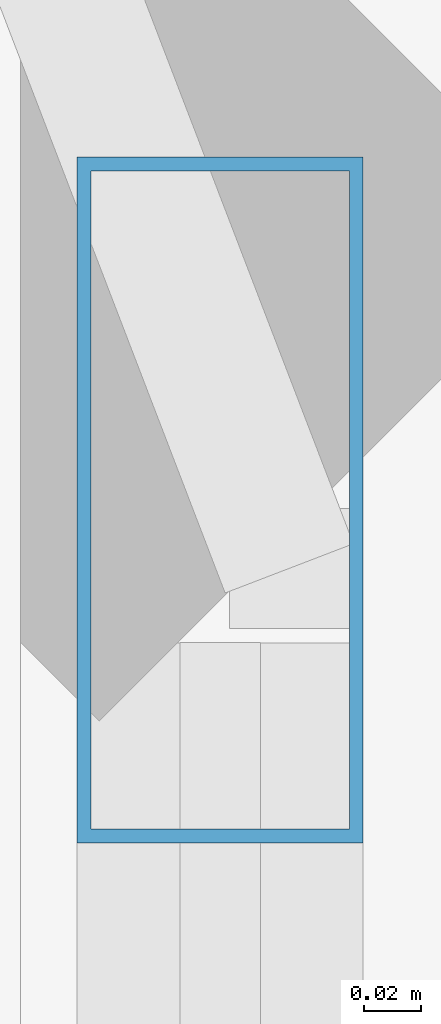
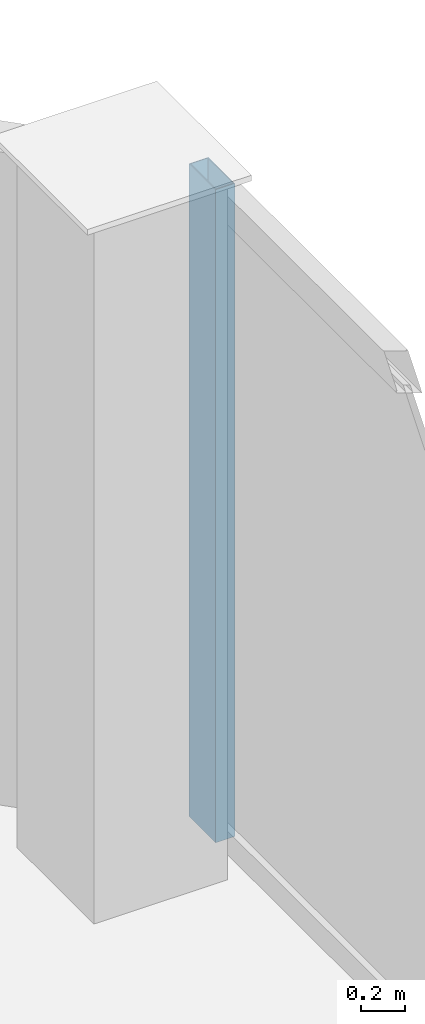
# One storey, part 16 of 26: 1 member, 1 element without a shape of its own.
"""IFC4 building model written with IfcOpenShell, lengths in metres."""

from ifc_helpers import new_model, si_unit, direction, frame, origin, origin_2d, place, context, subcontext, project, spatial, hollow_rectangle, extrude, material, layer, layer_set, material_profile, profile_set, type_object, element, aggregate, save


model = new_model("IFC4")

# Units and contexts
model_context = context("Model", 3, precision=1e-05, world=origin(), true_north=direction((0.0, 1.0)))
body_context = subcontext(model_context, "Body", "Model", "MODEL_VIEW")
ifc_project = project(units=[si_unit("LENGTHUNIT", "METRE"), si_unit("AREAUNIT", "SQUARE_METRE"), si_unit("VOLUMEUNIT", "CUBIC_METRE"), si_unit("PLANEANGLEUNIT", "RADIAN"), si_unit("MASSUNIT", "GRAM", prefix="KILO")], contexts=[model_context])

# Site, building, storey
site_placement = place(None, origin())
site = spatial("IfcSite", under=ifc_project, at=site_placement, CompositionType="ELEMENT")
building_placement = place(site_placement, origin())
building = spatial("IfcBuilding", under=site, at=building_placement, Name="Khorvyn Point Tower", CompositionType="ELEMENT")
storey_placement = place(building_placement, frame((0.0, 0.0, 187.5)))
storey = spatial("IfcBuildingStorey", under=building, at=storey_placement, Name="L46", CompositionType="ELEMENT", Elevation=187.5)

# Curtain wall, member
ifc_material_1 = material(Name="Anodised aluminium 6063-T6 and laminated Low-E glass", Category="aluminium")
ifc_layer = layer(ifc_material_1, 0.18994140625)
ifc_layer_set = layer_set([ifc_layer], Name="Stick-Built Acoustic Curtain Wall CW-SYS-03")
curtain_wall_type = type_object("IfcCurtainWallType", Name="Stick-Built Acoustic Curtain Wall CW-SYS-03", PredefinedType="NOTDEFINED", material=ifc_layer_set)
curtain_wall_placement = place(storey_placement, origin())
curtain_wall = element("IfcCurtainWall", 1, at=curtain_wall_placement, inside=storey, type_object=curtain_wall_type, Name="Curtain Wall", PredefinedType="NOTDEFINED")
ifc_material_2 = material(Name="Anodised aluminium 6063-T6", Category="aluminium")
ifc_material_profile = material_profile(ifc_material_2, hollow_rectangle(XDim=0.10009765625, YDim=0.239990234375, WallThickness=0.0048828125, at=origin_2d()))
ifc_profile_set = profile_set([ifc_material_profile], Name="Anodised aluminium 6063-T6 ALU-MUL-100x240")
member_type = type_object("IfcMemberType", Name="Anodised Aluminium 6063-T6 Mullion ALU-MUL-100x240", PredefinedType="MULLION", material=ifc_profile_set)
member_placement = place(storey_placement, frame((21.75, 19.199951171875, 0.0), z_axis=(0.0, 0.0, 1.0), x_axis=(1.0, 0.0, 0.0)))
member = element("IfcMember", 2, at=member_placement, type_object=member_type, Name="Transom", PredefinedType="MULLION", context=body_context, shape_type="SweptSolid", body=[
    extrude(hollow_rectangle(XDim=0.10009765625, YDim=0.239990234375, WallThickness=0.0048828125, at=origin_2d()), origin(), (0.0, 0.0, 1.0), 3.6201171875),
])
aggregate(curtain_wall, [member])

save(model, "model.ifc")
